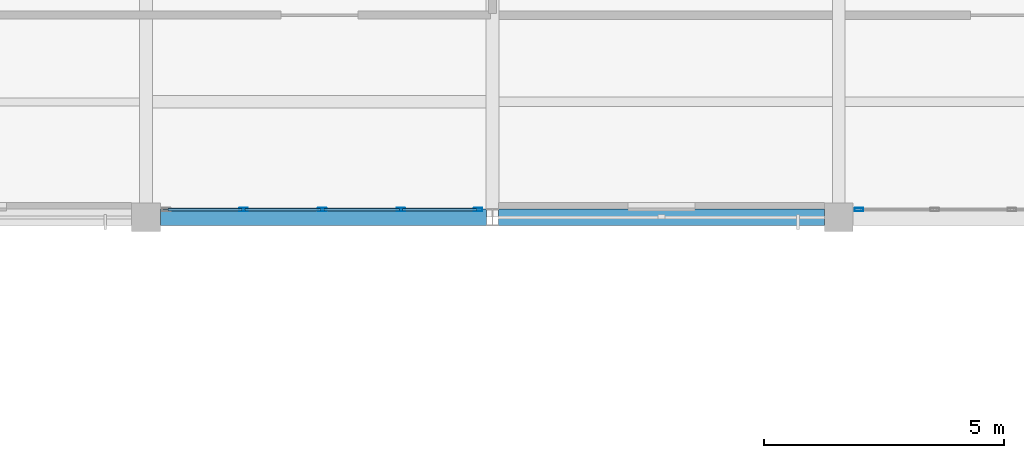
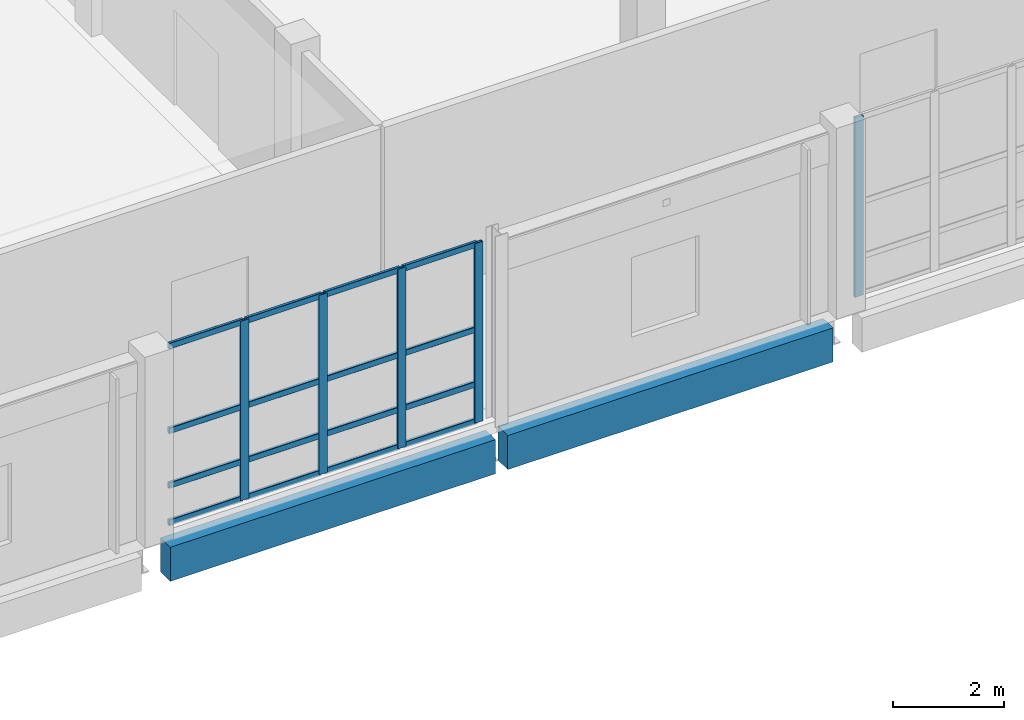
# One storey, part 47 of 94: 21 members, 2 beams, 2 elements without a shape of their own.
"""IFC4 building model written with IfcOpenShell, lengths in metres."""

from ifc_helpers import new_model, si_unit, direction, frame, origin, origin_2d, place, context, subcontext, project, spatial, rectangle, hollow_rectangle, extrude, material, material_profile, profile_set, type_object, element, aggregate, save


model = new_model("IFC4")

# Units and contexts
model_context = context("Model", 3, precision=1e-05, world=origin(), true_north=direction((0.0, 1.0)))
body_context = subcontext(model_context, "Body", "Model", "MODEL_VIEW")
ifc_project = project(units=[si_unit("LENGTHUNIT", "METRE"), si_unit("AREAUNIT", "SQUARE_METRE"), si_unit("VOLUMEUNIT", "CUBIC_METRE"), si_unit("PLANEANGLEUNIT", "RADIAN"), si_unit("MASSUNIT", "GRAM", prefix="KILO")], contexts=[model_context])

# Site, building, storey
site_placement = place(None, origin())
site = spatial("IfcSite", under=ifc_project, at=site_placement, CompositionType="ELEMENT")
building_placement = place(site_placement, origin())
building = spatial("IfcBuilding", under=site, at=building_placement, Name="Kalmorath City Hall", CompositionType="ELEMENT")
storey_placement = place(building_placement, frame((0.0, 0.0, 14.699951171875)))
storey = spatial("IfcBuildingStorey", under=building, at=storey_placement, Name="L03", CompositionType="ELEMENT", Elevation=14.699951171875)

# Curtain wall, member
ifc_material_1 = material(Name="Anodised aluminium and laminated glass", Category="aluminium")
curtain_wall_type_1 = type_object("IfcCurtainWallType", Name="Unitised hurricane curtain wall 6420x3950 M1750", PredefinedType="NOTDEFINED", material=ifc_material_1)
curtain_wall_1_placement = place(storey_placement, origin())
curtain_wall_1 = element("IfcCurtainWall", 1, at=curtain_wall_1_placement, inside=storey, type_object=curtain_wall_type_1, Name="L03 curtain wall CW-64X40M18 #146", PredefinedType="NOTDEFINED")
ifc_material_2 = material(Name="Anodised aluminium framing", Category="aluminium")
ifc_material_profile_1 = material_profile(ifc_material_2, hollow_rectangle(XDim=0.06494140625, YDim=0.179931640625, WallThickness=0.00390625, InnerFilletRadius=0.00390625, OuterFilletRadius=0.008056640625, at=origin_2d()), Name="ALU-MUL-180X65X4")
ifc_profile_set_1 = profile_set([ifc_material_profile_1], Name="Anodised aluminium framing")
member_type_1 = type_object("IfcMemberType", Name="Curtain-wall courtyard mullion 180x65", PredefinedType="MULLION", material=ifc_profile_set_1)
member_1_placement = place(storey_placement, frame((94.0224609375, 93.760009765625, 0.0), z_axis=(0.0, 0.0, 1.0), x_axis=(0.0, -1.0, 0.0)))
member_1 = element("IfcMember", 2, at=member_1_placement, type_object=member_type_1, Name="CW-64X40M18 mullion 5", PredefinedType="MULLION", context=body_context, shape_type="SweptSolid", body=[
    extrude(hollow_rectangle(XDim=0.06494140625, YDim=0.179931640625, WallThickness=0.00390625, InnerFilletRadius=0.00390625, OuterFilletRadius=0.008056640625, at=origin_2d()), origin(), (0.0, 0.0, 1.0), 3.949951171875),
])
aggregate(curtain_wall_1, [member_1])

# Curtain wall, members
ifc_material_3 = material(Name="Anodised aluminium and laminated glass", Category="aluminium")
curtain_wall_type_2 = type_object("IfcCurtainWallType", Name="Unitised hurricane curtain wall 6544x3950 M1750", PredefinedType="NOTDEFINED", material=ifc_material_3)
curtain_wall_2_placement = place(storey_placement, origin())
curtain_wall_2 = element("IfcCurtainWall", 3, at=curtain_wall_2_placement, inside=storey, type_object=curtain_wall_type_2, Name="L03 curtain wall CW-65X40M18 #147", PredefinedType="NOTDEFINED")
member_2_placement = place(storey_placement, frame((86.10107421875, 93.760009765625, 0.0), z_axis=(0.0, 0.0, 1.0), x_axis=(0.0, -1.0, 0.0)))
member_2 = element("IfcMember", 4, at=member_2_placement, type_object=member_type_1, Name="CW-65X40M18 mullion 1", PredefinedType="MULLION", context=body_context, shape_type="SweptSolid", body=[
    extrude(hollow_rectangle(XDim=0.06494140625, YDim=0.179931640625, WallThickness=0.00390625, InnerFilletRadius=0.00390625, OuterFilletRadius=0.008056640625, at=origin_2d()), origin(), (0.0, 0.0, 1.0), 3.949951171875),
])
member_3_placement = place(storey_placement, frame((84.49755859375, 93.760009765625, 0.0), z_axis=(0.0, 0.0, 1.0), x_axis=(0.0, -1.0, 0.0)))
member_3 = element("IfcMember", 5, at=member_3_placement, type_object=member_type_1, Name="CW-65X40M18 mullion 2", PredefinedType="MULLION", context=body_context, shape_type="SweptSolid", body=[
    extrude(hollow_rectangle(XDim=0.06494140625, YDim=0.179931640625, WallThickness=0.00390625, InnerFilletRadius=0.00390625, OuterFilletRadius=0.008056640625, at=origin_2d()), origin(), (0.0, 0.0, 1.0), 3.949951171875),
])
member_4_placement = place(storey_placement, frame((82.86181640625, 93.760009765625, 0.0), z_axis=(0.0, 0.0, 1.0), x_axis=(0.0, -1.0, 0.0)))
member_4 = element("IfcMember", 6, at=member_4_placement, type_object=member_type_1, Name="CW-65X40M18 mullion 3", PredefinedType="MULLION", context=body_context, shape_type="SweptSolid", body=[
    extrude(hollow_rectangle(XDim=0.06494140625, YDim=0.179931640625, WallThickness=0.00390625, InnerFilletRadius=0.00390625, OuterFilletRadius=0.008056640625, at=origin_2d()), origin(), (0.0, 0.0, 1.0), 3.949951171875),
])
member_5_placement = place(storey_placement, frame((81.225830078125, 93.760009765625, 0.0), z_axis=(0.0, 0.0, 1.0), x_axis=(0.0, -1.0, 0.0)))
member_5 = element("IfcMember", 7, at=member_5_placement, type_object=member_type_1, Name="CW-65X40M18 mullion 4", PredefinedType="MULLION", context=body_context, shape_type="SweptSolid", body=[
    extrude(hollow_rectangle(XDim=0.06494140625, YDim=0.179931640625, WallThickness=0.00390625, InnerFilletRadius=0.00390625, OuterFilletRadius=0.008056640625, at=origin_2d()), origin(), (0.0, 0.0, 1.0), 3.949951171875),
])
ifc_material_4 = material(Name="Anodised aluminium framing", Category="aluminium")
ifc_material_profile_2 = material_profile(ifc_material_4, hollow_rectangle(XDim=0.06005859375, YDim=0.1298828125, WallThickness=0.00341796875, InnerFilletRadius=0.00341796875, OuterFilletRadius=0.007080078125, at=origin_2d()), Name="ALU-TRN-130X60X3.5")
ifc_profile_set_2 = profile_set([ifc_material_profile_2], Name="Anodised aluminium framing")
member_type_2 = type_object("IfcMemberType", Name="Curtain-wall courtyard transom 130x60", PredefinedType="USERDEFINED", material=ifc_profile_set_2)
member_6_placement = place(storey_placement, frame((86.068603515625, 93.760009765625, 0.030029296875), z_axis=(-1.0, 0.0, 0.0), x_axis=(0.0, -1.0, 0.0)))
member_6 = element("IfcMember", 8, at=member_6_placement, type_object=member_type_2, Name="CW-65X40M18 transom 1.1", ObjectType="TRANSOM", PredefinedType="USERDEFINED", context=body_context, shape_type="SweptSolid", body=[
    extrude(hollow_rectangle(XDim=0.06005859375, YDim=0.1298828125, WallThickness=0.00341796875, InnerFilletRadius=0.00341796875, OuterFilletRadius=0.007080078125, at=origin_2d()), origin(), (0.0, 0.0, 1.0), 1.53857421875),
])
member_7_placement = place(storey_placement, frame((86.068603515625, 93.760009765625, 0.85009765625), z_axis=(-1.0, 0.0, 0.0), x_axis=(0.0, -1.0, 0.0)))
member_7 = element("IfcMember", 9, at=member_7_placement, type_object=member_type_2, Name="CW-65X40M18 transom 1.2", ObjectType="TRANSOM", PredefinedType="USERDEFINED", context=body_context, shape_type="SweptSolid", body=[
    extrude(hollow_rectangle(XDim=0.06005859375, YDim=0.1298828125, WallThickness=0.00341796875, InnerFilletRadius=0.00341796875, OuterFilletRadius=0.007080078125, at=origin_2d()), origin(), (0.0, 0.0, 1.0), 1.53857421875),
])
member_8_placement = place(storey_placement, frame((86.068603515625, 93.760009765625, 2.053955078125), z_axis=(-1.0, 0.0, 0.0), x_axis=(0.0, -1.0, 0.0)))
member_8 = element("IfcMember", 10, at=member_8_placement, type_object=member_type_2, Name="CW-65X40M18 transom 1.3", ObjectType="TRANSOM", PredefinedType="USERDEFINED", context=body_context, shape_type="SweptSolid", body=[
    extrude(hollow_rectangle(XDim=0.06005859375, YDim=0.1298828125, WallThickness=0.00341796875, InnerFilletRadius=0.00341796875, OuterFilletRadius=0.007080078125, at=origin_2d()), origin(), (0.0, 0.0, 1.0), 1.53857421875),
])
member_9_placement = place(storey_placement, frame((86.068603515625, 93.760009765625, 3.920166015625), z_axis=(-1.0, 0.0, 0.0), x_axis=(0.0, -1.0, 0.0)))
member_9 = element("IfcMember", 11, at=member_9_placement, type_object=member_type_2, Name="CW-65X40M18 transom 1.4", ObjectType="TRANSOM", PredefinedType="USERDEFINED", context=body_context, shape_type="SweptSolid", body=[
    extrude(hollow_rectangle(XDim=0.06005859375, YDim=0.1298828125, WallThickness=0.00341796875, InnerFilletRadius=0.00341796875, OuterFilletRadius=0.007080078125, at=origin_2d()), origin(), (0.0, 0.0, 1.0), 1.53857421875),
])
member_10_placement = place(storey_placement, frame((84.465087890625, 93.760009765625, 0.030029296875), z_axis=(-1.0, 0.0, 0.0), x_axis=(0.0, -1.0, 0.0)))
member_10 = element("IfcMember", 12, at=member_10_placement, type_object=member_type_2, Name="CW-65X40M18 transom 2.1", ObjectType="TRANSOM", PredefinedType="USERDEFINED", context=body_context, shape_type="SweptSolid", body=[
    extrude(hollow_rectangle(XDim=0.06005859375, YDim=0.1298828125, WallThickness=0.00341796875, InnerFilletRadius=0.00341796875, OuterFilletRadius=0.007080078125, at=origin_2d()), origin(), (0.0, 0.0, 1.0), 1.57080078125),
])
member_11_placement = place(storey_placement, frame((84.465087890625, 93.760009765625, 0.85009765625), z_axis=(-1.0, 0.0, 0.0), x_axis=(0.0, -1.0, 0.0)))
member_11 = element("IfcMember", 13, at=member_11_placement, type_object=member_type_2, Name="CW-65X40M18 transom 2.2", ObjectType="TRANSOM", PredefinedType="USERDEFINED", context=body_context, shape_type="SweptSolid", body=[
    extrude(hollow_rectangle(XDim=0.06005859375, YDim=0.1298828125, WallThickness=0.00341796875, InnerFilletRadius=0.00341796875, OuterFilletRadius=0.007080078125, at=origin_2d()), origin(), (0.0, 0.0, 1.0), 1.57080078125),
])
member_12_placement = place(storey_placement, frame((84.465087890625, 93.760009765625, 2.053955078125), z_axis=(-1.0, 0.0, 0.0), x_axis=(0.0, -1.0, 0.0)))
member_12 = element("IfcMember", 14, at=member_12_placement, type_object=member_type_2, Name="CW-65X40M18 transom 2.3", ObjectType="TRANSOM", PredefinedType="USERDEFINED", context=body_context, shape_type="SweptSolid", body=[
    extrude(hollow_rectangle(XDim=0.06005859375, YDim=0.1298828125, WallThickness=0.00341796875, InnerFilletRadius=0.00341796875, OuterFilletRadius=0.007080078125, at=origin_2d()), origin(), (0.0, 0.0, 1.0), 1.57080078125),
])
member_13_placement = place(storey_placement, frame((84.465087890625, 93.760009765625, 3.920166015625), z_axis=(-1.0, 0.0, 0.0), x_axis=(0.0, -1.0, 0.0)))
member_13 = element("IfcMember", 15, at=member_13_placement, type_object=member_type_2, Name="CW-65X40M18 transom 2.4", ObjectType="TRANSOM", PredefinedType="USERDEFINED", context=body_context, shape_type="SweptSolid", body=[
    extrude(hollow_rectangle(XDim=0.06005859375, YDim=0.1298828125, WallThickness=0.00341796875, InnerFilletRadius=0.00341796875, OuterFilletRadius=0.007080078125, at=origin_2d()), origin(), (0.0, 0.0, 1.0), 1.57080078125),
])
member_14_placement = place(storey_placement, frame((82.829345703125, 93.760009765625, 0.030029296875), z_axis=(-1.0, 0.0, 0.0), x_axis=(0.0, -1.0, 0.0)))
member_14 = element("IfcMember", 16, at=member_14_placement, type_object=member_type_2, Name="CW-65X40M18 transom 3.1", ObjectType="TRANSOM", PredefinedType="USERDEFINED", context=body_context, shape_type="SweptSolid", body=[
    extrude(hollow_rectangle(XDim=0.06005859375, YDim=0.1298828125, WallThickness=0.00341796875, InnerFilletRadius=0.00341796875, OuterFilletRadius=0.007080078125, at=origin_2d()), origin(), (0.0, 0.0, 1.0), 1.571044921875),
])
member_15_placement = place(storey_placement, frame((82.829345703125, 93.760009765625, 0.85009765625), z_axis=(-1.0, 0.0, 0.0), x_axis=(0.0, -1.0, 0.0)))
member_15 = element("IfcMember", 17, at=member_15_placement, type_object=member_type_2, Name="CW-65X40M18 transom 3.2", ObjectType="TRANSOM", PredefinedType="USERDEFINED", context=body_context, shape_type="SweptSolid", body=[
    extrude(hollow_rectangle(XDim=0.06005859375, YDim=0.1298828125, WallThickness=0.00341796875, InnerFilletRadius=0.00341796875, OuterFilletRadius=0.007080078125, at=origin_2d()), origin(), (0.0, 0.0, 1.0), 1.571044921875),
])
member_16_placement = place(storey_placement, frame((82.829345703125, 93.760009765625, 2.053955078125), z_axis=(-1.0, 0.0, 0.0), x_axis=(0.0, -1.0, 0.0)))
member_16 = element("IfcMember", 18, at=member_16_placement, type_object=member_type_2, Name="CW-65X40M18 transom 3.3", ObjectType="TRANSOM", PredefinedType="USERDEFINED", context=body_context, shape_type="SweptSolid", body=[
    extrude(hollow_rectangle(XDim=0.06005859375, YDim=0.1298828125, WallThickness=0.00341796875, InnerFilletRadius=0.00341796875, OuterFilletRadius=0.007080078125, at=origin_2d()), origin(), (0.0, 0.0, 1.0), 1.571044921875),
])
member_17_placement = place(storey_placement, frame((82.829345703125, 93.760009765625, 3.920166015625), z_axis=(-1.0, 0.0, 0.0), x_axis=(0.0, -1.0, 0.0)))
member_17 = element("IfcMember", 19, at=member_17_placement, type_object=member_type_2, Name="CW-65X40M18 transom 3.4", ObjectType="TRANSOM", PredefinedType="USERDEFINED", context=body_context, shape_type="SweptSolid", body=[
    extrude(hollow_rectangle(XDim=0.06005859375, YDim=0.1298828125, WallThickness=0.00341796875, InnerFilletRadius=0.00341796875, OuterFilletRadius=0.007080078125, at=origin_2d()), origin(), (0.0, 0.0, 1.0), 1.571044921875),
])
member_18_placement = place(storey_placement, frame((81.193359375, 93.760009765625, 0.030029296875), z_axis=(-1.0, 0.0, 0.0), x_axis=(0.0, -1.0, 0.0)))
member_18 = element("IfcMember", 20, at=member_18_placement, type_object=member_type_2, Name="CW-65X40M18 transom 4.1", ObjectType="TRANSOM", PredefinedType="USERDEFINED", context=body_context, shape_type="SweptSolid", body=[
    extrude(hollow_rectangle(XDim=0.06005859375, YDim=0.1298828125, WallThickness=0.00341796875, InnerFilletRadius=0.00341796875, OuterFilletRadius=0.007080078125, at=origin_2d()), origin(), (0.0, 0.0, 1.0), 1.538330078125),
])
member_19_placement = place(storey_placement, frame((81.193359375, 93.760009765625, 0.85009765625), z_axis=(-1.0, 0.0, 0.0), x_axis=(0.0, -1.0, 0.0)))
member_19 = element("IfcMember", 21, at=member_19_placement, type_object=member_type_2, Name="CW-65X40M18 transom 4.2", ObjectType="TRANSOM", PredefinedType="USERDEFINED", context=body_context, shape_type="SweptSolid", body=[
    extrude(hollow_rectangle(XDim=0.06005859375, YDim=0.1298828125, WallThickness=0.00341796875, InnerFilletRadius=0.00341796875, OuterFilletRadius=0.007080078125, at=origin_2d()), origin(), (0.0, 0.0, 1.0), 1.538330078125),
])
member_20_placement = place(storey_placement, frame((81.193359375, 93.760009765625, 2.053955078125), z_axis=(-1.0, 0.0, 0.0), x_axis=(0.0, -1.0, 0.0)))
member_20 = element("IfcMember", 22, at=member_20_placement, type_object=member_type_2, Name="CW-65X40M18 transom 4.3", ObjectType="TRANSOM", PredefinedType="USERDEFINED", context=body_context, shape_type="SweptSolid", body=[
    extrude(hollow_rectangle(XDim=0.06005859375, YDim=0.1298828125, WallThickness=0.00341796875, InnerFilletRadius=0.00341796875, OuterFilletRadius=0.007080078125, at=origin_2d()), origin(), (0.0, 0.0, 1.0), 1.538330078125),
])
member_21_placement = place(storey_placement, frame((81.193359375, 93.760009765625, 3.920166015625), z_axis=(-1.0, 0.0, 0.0), x_axis=(0.0, -1.0, 0.0)))
member_21 = element("IfcMember", 23, at=member_21_placement, type_object=member_type_2, Name="CW-65X40M18 transom 4.4", ObjectType="TRANSOM", PredefinedType="USERDEFINED", context=body_context, shape_type="SweptSolid", body=[
    extrude(hollow_rectangle(XDim=0.06005859375, YDim=0.1298828125, WallThickness=0.00341796875, InnerFilletRadius=0.00341796875, OuterFilletRadius=0.007080078125, at=origin_2d()), origin(), (0.0, 0.0, 1.0), 1.538330078125),
])
aggregate(curtain_wall_2, [member_2, member_3, member_4, member_5, member_6, member_7, member_8, member_9, member_10, member_11, member_12, member_13, member_14, member_15, member_16, member_17, member_18, member_19, member_20, member_21])

# Beams
ifc_material_5 = material(Name="Precast concrete C40/50", Category="concrete")
ifc_material_profile_3 = material_profile(ifc_material_5, rectangle(XDim=0.35009765625, YDim=0.75, at=origin_2d()), Name="PC-SP-350X750")
ifc_profile_set_3 = profile_set([ifc_material_profile_3], Name="Precast concrete C40/50")
beam_type = type_object("IfcBeamType", Name="Precast spandrel lintel 350x750", PredefinedType="LINTEL", material=ifc_profile_set_3)
for number, where, z_axis, x_axis, name in (
    (24, (79.5, 93.60009765625, -0.638916015625), (1.0, 0.0, 0.0), (0.0, 1.0, 0.0), "L03 girder PSB1 X12-13/14"),
    (25, (86.527099609375, 93.60009765625, -0.638916015625), (1.0, 0.0, 0.0), (0.0, 1.0, 0.0), "L03 girder PSB1 X13-14/14"),
):
    element("IfcBeam", number, at=place(storey_placement, frame(where, z_axis=z_axis, x_axis=x_axis)), inside=storey, type_object=beam_type, Name=name, PredefinedType="LINTEL", context=body_context, shape_type="SweptSolid", body=[
        extrude(rectangle(XDim=0.35009765625, YDim=0.75, at=origin_2d()), origin(), (0.0, 0.0, 1.0), 6.77294921875),
    ])

save(model, "model.ifc")
